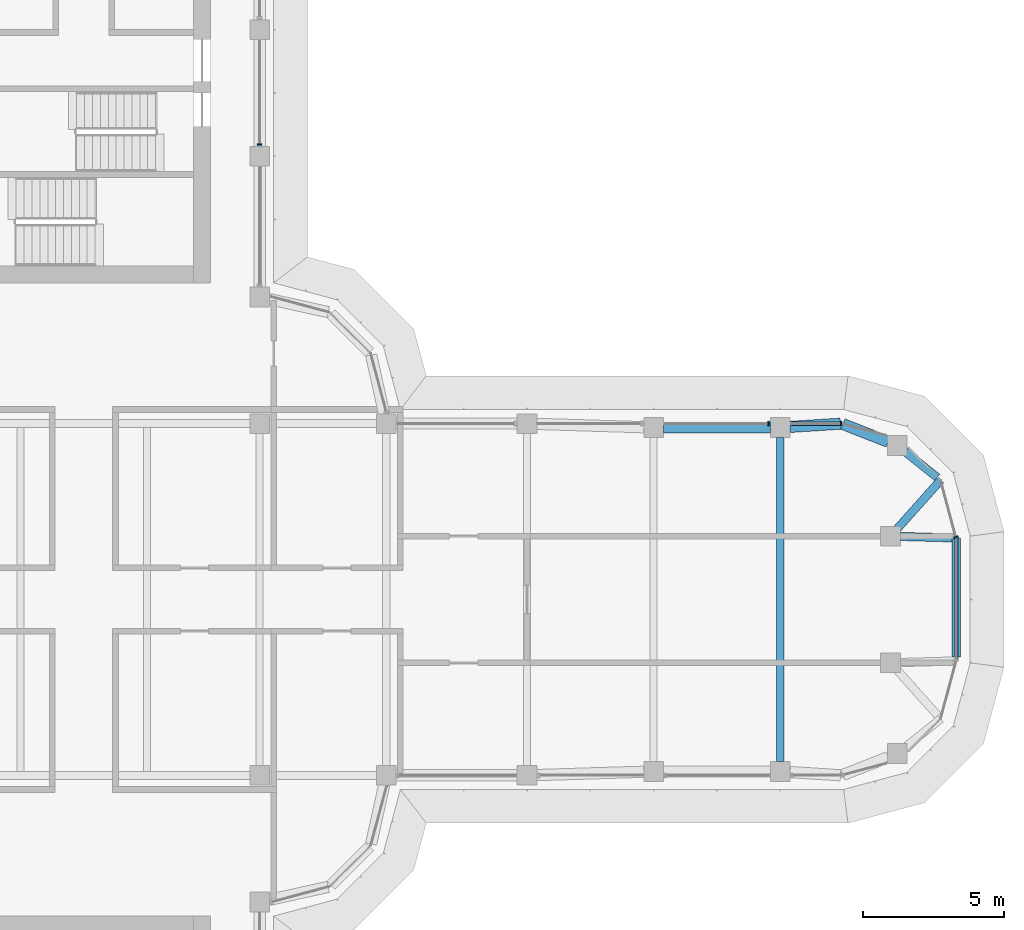
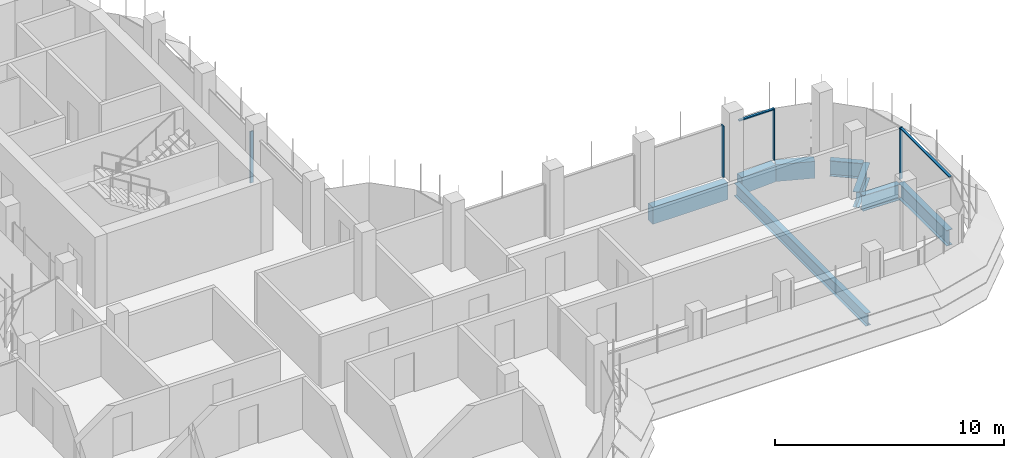
# One storey, part 9 of 19: 8 beams, 6 members, 4 elements without a shape of their own.
"""IFC4 building model written with IfcOpenShell, lengths in metres."""

from ifc_helpers import new_model, si_unit, direction, frame, origin, origin_2d, place, context, subcontext, project, spatial, polyline, rectangle, i_section, outline, extrude, source, transform, mapped, material, material_profile, profile_set, type_object, element, aggregate, save


model = new_model("IFC4")

# Units and contexts
model_context = context("Model", 3, precision=1e-05, world=origin(), true_north=direction((0.0, 1.0)))
body_context = subcontext(model_context, "Body", "Model", "MODEL_VIEW")
ifc_project = project(units=[si_unit("LENGTHUNIT", "METRE"), si_unit("AREAUNIT", "SQUARE_METRE"), si_unit("VOLUMEUNIT", "CUBIC_METRE"), si_unit("PLANEANGLEUNIT", "RADIAN"), si_unit("MASSUNIT", "GRAM", prefix="KILO")], contexts=[model_context])

# Site, building, storey
site_placement = place(None, origin())
site = spatial("IfcSite", under=ifc_project, at=site_placement, CompositionType="ELEMENT")
building_placement = place(site_placement, origin())
building = spatial("IfcBuilding", under=site, at=building_placement, Name="Zarbagh Exchange Tower", CompositionType="ELEMENT")
storey_placement = place(building_placement, frame((0.0, 0.0, 241.0)))
storey = spatial("IfcBuildingStorey", under=building, at=storey_placement, Name="L59", CompositionType="ELEMENT", Elevation=241.0)

# Beams
ifc_material_1 = material(Name="Steel ASTM A992 Gr 50", Category="steel")
ifc_material_profile_1 = material_profile(ifc_material_1, i_section(OverallWidth=0.25390625, OverallDepth=0.67822265625, WebThickness=0.01171875, FlangeThickness=0.016357421875, at=origin_2d()), Name="W27X84")
ifc_profile_set_1 = profile_set([ifc_material_profile_1], Name="Steel ASTM A992 Gr 50")
beam_type_1 = type_object("IfcBeamType", Name="Floor beam W27X84", PredefinedType="BEAM", material=ifc_profile_set_1)
beam_1_placement = place(storey_placement, frame((24.75, -5.760009765625, -0.489013671875), z_axis=(0.0, 1.0, 0.0), x_axis=(-1.0, 0.0, 0.0)))
element("IfcBeam", 1, at=beam_1_placement, inside=storey, type_object=beam_type_1, Name="Steel floor beam", PredefinedType="BEAM", context=body_context, shape_type="SweptSolid", body=[
    extrude(i_section(OverallWidth=0.25390625, OverallDepth=0.67822265625, WebThickness=0.01171875, FlangeThickness=0.016357421875, at=origin_2d()), origin(), (0.0, 0.0, 1.0), 11.52001953125),
])
ifc_material_profile_2 = material_profile(ifc_material_1, i_section(OverallWidth=0.2919921875, OverallDepth=0.835693359375, WebThickness=0.013916015625, FlangeThickness=0.018798828125, at=origin_2d()), Name="W33X118")
ifc_profile_set_2 = profile_set([ifc_material_profile_2], Name="Steel ASTM A992 Gr 50")
beam_type_2 = type_object("IfcBeamType", Name="Floor girder W33X118", PredefinedType="BEAM", material=ifc_profile_set_2)
beam_2_placement = place(storey_placement, frame((29.18115234375, 5.256103515625, -0.56787109375), z_axis=(0.780625690962, -0.624998824487, 0.0), x_axis=(0.624998824487, 0.780625690962, 0.0)))
element("IfcBeam", 2, at=beam_2_placement, inside=storey, type_object=beam_type_2, Name="Steel girder", PredefinedType="BEAM", context=body_context, shape_type="SweptSolid", body=[
    extrude(i_section(OverallWidth=0.2919921875, OverallDepth=0.835693359375, WebThickness=0.013916015625, FlangeThickness=0.018798828125, at=origin_2d()), origin(), (0.0, 0.0, 1.0), 1.469970703125),
])
beam_3_placement = place(storey_placement, frame((30.44873046875, 4.2412109375, -0.56787109375), z_axis=(-0.66615169279, -0.745816279115, 0.0), x_axis=(0.745816279115, -0.66615169279, 0.0)))
element("IfcBeam", 3, at=beam_3_placement, inside=storey, type_object=beam_type_2, Name="Steel girder", PredefinedType="BEAM", context=body_context, shape_type="SweptSolid", body=[
    extrude(i_section(OverallWidth=0.2919921875, OverallDepth=0.835693359375, WebThickness=0.013916015625, FlangeThickness=0.018798828125, at=origin_2d()), origin(), (0.0, 0.0, 1.0), 2.31982421875),
])
beam_4_placement = place(storey_placement, frame((29.02001953125, 2.239990234375, -0.56787109375), z_axis=(0.999603805015, -0.028146633904, 0.0), x_axis=(0.028146633904, 0.999603805015, 0.0)))
element("IfcBeam", 4, at=beam_4_placement, inside=storey, type_object=beam_type_2, Name="Steel girder", PredefinedType="BEAM", context=body_context, shape_type="SweptSolid", body=[
    extrude(i_section(OverallWidth=0.2919921875, OverallDepth=0.835693359375, WebThickness=0.013916015625, FlangeThickness=0.018798828125, at=origin_2d()), origin(), (0.0, 0.0, 1.0), 1.8388671875),
])
beam_5_placement = place(storey_placement, frame((31.0, 2.18408203125, -0.56787109375), z_axis=(0.0, -1.0, 0.0), x_axis=(1.0, 0.0, 0.0)))
element("IfcBeam", 5, at=beam_5_placement, inside=storey, type_object=beam_type_2, Name="Steel girder", PredefinedType="BEAM", context=body_context, shape_type="SweptSolid", body=[
    extrude(i_section(OverallWidth=0.2919921875, OverallDepth=0.835693359375, WebThickness=0.013916015625, FlangeThickness=0.018798828125, at=origin_2d()), origin(), (0.0, 0.0, 1.0), 4.226318359375),
])
ifc_material_2 = material(Name="Concrete C50/60", Category="concrete")
ifc_material_profile_3 = material_profile(ifc_material_2, rectangle(XDim=0.39990234375, YDim=0.89990234375, at=origin_2d()), Name="RC spandrel beam 400 x 900 C50/60")
ifc_profile_set_3 = profile_set([ifc_material_profile_3], Name="Concrete C50/60")
beam_type_3 = type_object("IfcBeamType", Name="RC spandrel beam 400 x 900 C50/60", PredefinedType="SPANDREL", material=ifc_profile_set_3)
beam_6_placement = place(storey_placement, frame((20.60009765625, 6.110107421875, -0.60009765625), z_axis=(1.0, 0.0, 0.0), x_axis=(0.0, 1.0, 0.0)))
element("IfcBeam", 6, at=beam_6_placement, inside=storey, type_object=beam_type_3, Name="RC spandrel beam", PredefinedType="SPANDREL", context=body_context, shape_type="SweptSolid", body=[
    extrude(rectangle(XDim=0.39990234375, YDim=0.89990234375, at=origin_2d()), origin(), (0.0, 0.0, 1.0), 3.7998046875),
])
beam_7_placement = place(storey_placement, frame((25.099365234375, 6.13232421875, -0.60009765625), z_axis=(0.997943601797, 0.064098109429, 0.0), x_axis=(-0.064098109429, 0.997943601797, 0.0)))
element("IfcBeam", 7, at=beam_7_placement, inside=storey, type_object=beam_type_3, Name="RC spandrel beam", PredefinedType="SPANDREL", context=body_context, shape_type="SweptSolid", body=[
    extrude(rectangle(XDim=0.39990234375, YDim=0.89990234375, at=origin_2d()), origin(), (0.0, 0.0, 1.0), 1.7939453125),
])
beam_8_placement = place(storey_placement, frame((26.9755859375, 6.233642578125, -0.60009765625), z_axis=(0.930818525178, -0.365481700207, 0.0), x_axis=(0.365481700207, 0.930818525178, 0.0)))
element("IfcBeam", 8, at=beam_8_placement, inside=storey, type_object=beam_type_3, Name="RC spandrel beam", PredefinedType="SPANDREL", context=body_context, shape_type="SweptSolid", body=[
    extrude(rectangle(XDim=0.39990234375, YDim=0.89990234375, at=origin_2d()), origin(), (0.0, 0.0, 1.0), 1.72607421875),
])

# Curtain wall, member
ifc_material_3 = material(Name="Anodised aluminium frame and glazing", Category="aluminium")
curtain_wall_type = type_object("IfcCurtainWallType", Name="CWB Ribbon glazing, upper zones", PredefinedType="NOTDEFINED", material=ifc_material_3)
curtain_wall_1_placement = place(storey_placement, origin())
curtain_wall_1 = element("IfcCurtainWall", 9, at=curtain_wall_1_placement, inside=storey, type_object=curtain_wall_type, Name="CWB13 curtain wall", PredefinedType="NOTDEFINED")
ifc_material_4 = material(Name="Anodised aluminium frame", Category="aluminium")
member_type_1 = type_object("IfcMemberType", Name="MUB Mullion, anodised aluminium frame", PredefinedType="MULLION", material=ifc_material_4)
shared_shape_1 = source(origin(), body_context, "Body", "SweptSolid", [
    extrude(outline(polyline([(0.0, -0.080078125), (0.06005859375, -0.080078125), (0.06005859375, 0.080078125), (0.0, 0.080078125), (0.0, -0.080078125)])), origin(), (0.0, 0.0, 1.0), 2.75),
])
placement = place(storey_placement, origin())
member_1 = element("IfcMember", 10, at=placement, type_object=member_type_1, Name="CWB13 mullion 1.1", PredefinedType="MULLION", context=body_context, shape_type="MappedRepresentation", body=[
    mapped(shared_shape_1, transform((31.0, 2.18408203125, 0.0), x_axis=(-0.258824779902, 0.965924289636, 0.0), y_axis=(-0.965924289636, -0.258824779902, 0.0), z_axis=(0.0, 0.0, 1.0))),
])
aggregate(curtain_wall_1, [member_1])

# Curtain wall, members
curtain_wall_2_placement = place(storey_placement, origin())
curtain_wall_2 = element("IfcCurtainWall", 11, at=curtain_wall_2_placement, inside=storey, type_object=curtain_wall_type, Name="CWB16 curtain wall", PredefinedType="NOTDEFINED")
member_2 = element("IfcMember", 12, at=placement, type_object=member_type_1, Name="CWB16 mullion 1.1", PredefinedType="MULLION", context=body_context, shape_type="MappedRepresentation", body=[
    mapped(shared_shape_1, transform((26.93408203125, 6.25, 0.0), x_axis=(-1.0, 0.0, 0.0), y_axis=(0.0, -1.0, 0.0), z_axis=(0.0, 0.0, 1.0))),
])
member_3 = element("IfcMember", 13, at=placement, type_object=member_type_1, Name="CWB16 mullion 2.1", PredefinedType="MULLION", context=body_context, shape_type="MappedRepresentation", body=[
    mapped(shared_shape_1, transform((24.35986328125, 6.25, 0.0), x_axis=(-1.0, 0.0, 0.0), y_axis=(0.0, -1.0, 0.0), z_axis=(0.0, 0.0, 1.0))),
])

# Curtain wall, member
curtain_wall_3_placement = place(storey_placement, origin())
curtain_wall_3 = element("IfcCurtainWall", 14, at=curtain_wall_3_placement, inside=storey, type_object=curtain_wall_type, Name="CWB67 curtain wall", PredefinedType="NOTDEFINED")
member_4 = element("IfcMember", 15, at=placement, type_object=member_type_1, Name="CWB67 mullion 2.1", PredefinedType="MULLION", context=body_context, shape_type="MappedRepresentation", body=[
    mapped(shared_shape_1, transform((6.25, 16.14013671875, 0.0), x_axis=(0.0, 1.0, 0.0), y_axis=(-1.0, 0.0, 0.0), z_axis=(0.0, 0.0, 1.0))),
])
aggregate(curtain_wall_3, [member_4])

# Member
member_type_2 = type_object("IfcMemberType", Name="TRB Transom, anodised aluminium frame", PredefinedType="USERDEFINED", material=ifc_material_4)
shared_shape_2 = source(origin(), body_context, "Body", "SweptSolid", [
    extrude(outline(polyline([(-0.06005859375, -0.06005859375), (0.0, -0.06005859375), (0.0, 0.06005859375), (-0.06005859375, 0.06005859375), (-0.06005859375, -0.06005859375)])), origin(), (0.0, 0.0, 1.0), 1.734130859375),
])
member_5 = element("IfcMember", 16, at=placement, type_object=member_type_2, Name="CWB16 transom 1.1", ObjectType="TRANSOM", PredefinedType="USERDEFINED", context=body_context, shape_type="MappedRepresentation", body=[
    mapped(shared_shape_2, transform((26.874267578125, 6.25, 2.75), x_axis=(0.0, 0.0, 1.0), y_axis=(0.0, 1.0, 0.0), z_axis=(-1.0, 0.0, 0.0))),
])

aggregate(curtain_wall_2, [member_2, member_5, member_3])

# Curtain wall, member
curtain_wall_4_placement = place(storey_placement, origin())
curtain_wall_4 = element("IfcCurtainWall", 17, at=curtain_wall_4_placement, inside=storey, type_object=curtain_wall_type, Name="CWB12 curtain wall", PredefinedType="NOTDEFINED")
shared_shape_3 = source(origin(), body_context, "Body", "SweptSolid", [
    extrude(outline(polyline([(-0.06005859375, -0.06005859375), (0.0, -0.06005859375), (0.0, 0.06005859375), (-0.06005859375, 0.06005859375), (-0.06005859375, -0.06005859375)])), origin(), (0.0, 0.0, 1.0), 4.308349609375),
])
member_6 = element("IfcMember", 18, at=placement, type_object=member_type_2, Name="CWB12 transom 1.1", ObjectType="TRANSOM", PredefinedType="USERDEFINED", context=body_context, shape_type="MappedRepresentation", body=[
    mapped(shared_shape_3, transform((31.0, -2.124267578125, 2.75), x_axis=(0.0, 0.0, 1.0), y_axis=(1.0, 0.0, 0.0), z_axis=(0.0, 1.0, 0.0))),
])
aggregate(curtain_wall_4, [member_6])

save(model, "model.ifc")
